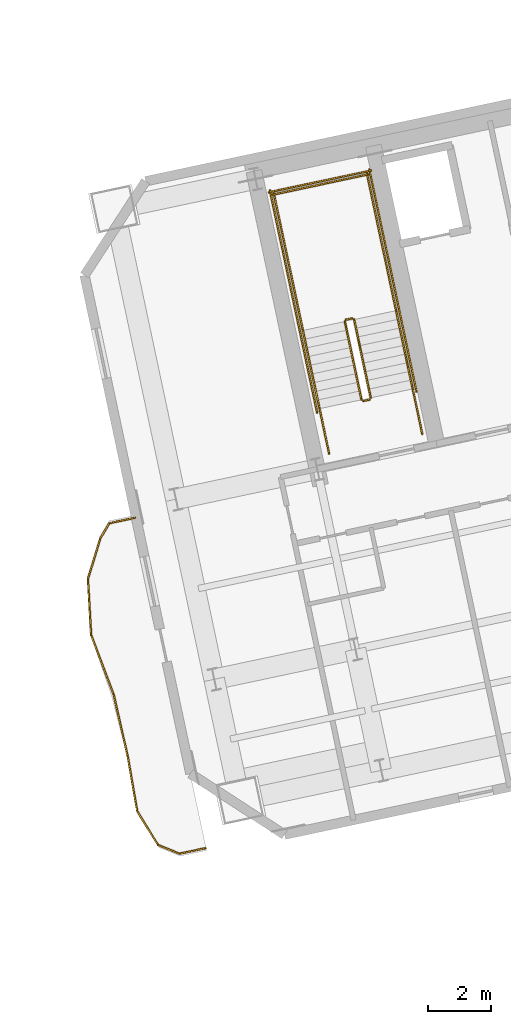
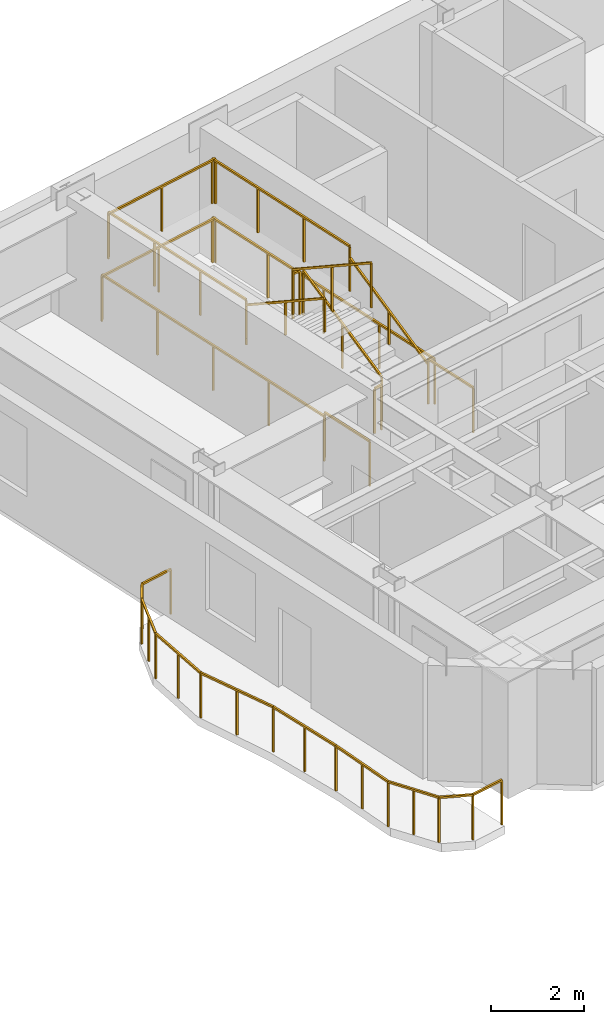
# One storey, part 14 of 15: 24 railings.
"""IFC4 building model written with IfcOpenShell, lengths in metres."""

from ifc_helpers import new_model, si_unit, direction, frame, origin, origin_2d, place, context, subcontext, project, spatial, rectangle, extrude, material, type_object, element, save


model = new_model("IFC4")

# Units and contexts
model_context = context("Model", 3, precision=1e-05, world=origin(), true_north=direction((0.0, 1.0)))
body_context = subcontext(model_context, "Body", "Model", "MODEL_VIEW")
ifc_project = project(units=[si_unit("LENGTHUNIT", "METRE"), si_unit("AREAUNIT", "SQUARE_METRE"), si_unit("VOLUMEUNIT", "CUBIC_METRE"), si_unit("PLANEANGLEUNIT", "RADIAN"), si_unit("MASSUNIT", "GRAM", prefix="KILO")], contexts=[model_context])

# Site, building, storey
site_placement = place(None, origin())
site = spatial("IfcSite", under=ifc_project, at=site_placement, CompositionType="ELEMENT")
building_placement = place(site_placement, origin())
building = spatial("IfcBuilding", under=site, at=building_placement, Name="Haevon Station Towers", CompositionType="ELEMENT")
storey_placement = place(building_placement, frame((0.0, 0.0, 152.699951171875)))
storey = spatial("IfcBuildingStorey", under=building, at=storey_placement, Name="L41", CompositionType="ELEMENT", Elevation=152.699951171875)

# Railings
ifc_material = material(Name="Steel S355", Category="steel")
railing_type_1 = type_object("IfcRailingType", Name="GRD-EXT1200", PredefinedType="GUARDRAIL", material=ifc_material)
railing_1_placement = place(storey_placement, frame((93.021240234375, 35.91455078125, 0.0)))
element("IfcRailing", 1, at=railing_1_placement, inside=storey, type_object=railing_type_1, Name="L41 Perimeter Guardrail 1", PredefinedType="GUARDRAIL", context=body_context, shape_type="SweptSolid", body=[
    extrude(rectangle(XDim=0.048095703125, YDim=0.048095703125, at=origin_2d()), frame((0.0, 0.0, 1.17578125), z_axis=(-0.977678572445, -0.210106185017, 0.0), x_axis=(0.210106185017, -0.977678572445, 0.0)), (0.0, 0.0, 1.0), 0.837890625),
    extrude(rectangle(XDim=0.0419921875, YDim=0.0419921875, at=origin_2d()), origin(), (0.0, 0.0, 1.0), 1.15185546875),
    extrude(rectangle(XDim=0.0419921875, YDim=0.0419921875, at=origin_2d()), frame((-0.819091796875, -0.176025390625, 0.0)), (0.0, 0.0, 1.0), 1.15185546875),
])
railing_2_placement = place(storey_placement, frame((92.2021484375, 35.738525390625, 0.0)))
element("IfcRailing", 2, at=railing_2_placement, inside=storey, type_object=railing_type_1, Name="L41 Perimeter Guardrail 2", PredefinedType="GUARDRAIL", context=body_context, shape_type="SweptSolid", body=[
    extrude(rectangle(XDim=0.048095703125, YDim=0.048095703125, at=origin_2d()), frame((0.0, 0.0, 1.17578125), z_axis=(-0.508242948438, -0.861213739651, 0.0), x_axis=(0.861213739651, -0.508242948438, 0.0)), (0.0, 0.0, 1.0), 0.55810546875),
    extrude(rectangle(XDim=0.0419921875, YDim=0.0419921875, at=origin_2d()), origin(), (0.0, 0.0, 1.0), 1.15185546875),
    extrude(rectangle(XDim=0.0419921875, YDim=0.0419921875, at=origin_2d()), frame((-0.28369140625, -0.480712890625, 0.0)), (0.0, 0.0, 1.0), 1.15185546875),
])
railing_3_placement = place(storey_placement, frame((91.91845703125, 35.2578125, 0.0)))
element("IfcRailing", 3, at=railing_3_placement, inside=storey, type_object=railing_type_1, Name="L41 Perimeter Guardrail 3", PredefinedType="GUARDRAIL", context=body_context, shape_type="SweptSolid", body=[
    extrude(rectangle(XDim=0.048095703125, YDim=0.048095703125, at=origin_2d()), frame((0.0, 0.0, 1.17578125), z_axis=(-0.290899845099, -0.95675351064, 0.0), x_axis=(0.95675351064, -0.290899845099, 0.0)), (0.0, 0.0, 1.0), 1.336181640625),
    extrude(rectangle(XDim=0.0419921875, YDim=0.0419921875, at=origin_2d()), origin(), (0.0, 0.0, 1.0), 1.15185546875),
    extrude(rectangle(XDim=0.0419921875, YDim=0.0419921875, at=origin_2d()), frame((-0.1943359375, -0.63916015625, 0.0)), (0.0, 0.0, 1.0), 1.15185546875),
    extrude(rectangle(XDim=0.0419921875, YDim=0.0419921875, at=origin_2d()), frame((-0.388671875, -1.2783203125, 0.0)), (0.0, 0.0, 1.0), 1.15185546875),
])
railing_4_placement = place(storey_placement, frame((91.52978515625, 33.9794921875, 0.0)))
element("IfcRailing", 4, at=railing_4_placement, inside=storey, type_object=railing_type_1, Name="L41 Perimeter Guardrail 4", PredefinedType="GUARDRAIL", context=body_context, shape_type="SweptSolid", body=[
    extrude(rectangle(XDim=0.048095703125, YDim=0.048095703125, at=origin_2d()), frame((0.0, 0.0, 1.17578125), z_axis=(0.057490580882, -0.998346048778, 0.0), x_axis=(0.998346048778, 0.057490580882, 0.0)), (0.0, 0.0, 1.0), 1.7666015625),
    extrude(rectangle(XDim=0.0419921875, YDim=0.0419921875, at=origin_2d()), origin(), (0.0, 0.0, 1.0), 1.15185546875),
    extrude(rectangle(XDim=0.0419921875, YDim=0.0419921875, at=origin_2d()), frame((0.05078125, -0.8818359375, 0.0)), (0.0, 0.0, 1.0), 1.15185546875),
    extrude(rectangle(XDim=0.0419921875, YDim=0.0419921875, at=origin_2d()), frame((0.1015625, -1.763671875, 0.0)), (0.0, 0.0, 1.0), 1.15185546875),
])
railing_5_placement = place(storey_placement, frame((91.63134765625, 32.2158203125, 0.0)))
element("IfcRailing", 5, at=railing_5_placement, inside=storey, type_object=railing_type_1, Name="L41 Perimeter Guardrail 5", PredefinedType="GUARDRAIL", context=body_context, shape_type="SweptSolid", body=[
    extrude(rectangle(XDim=0.048095703125, YDim=0.048095703125, at=origin_2d()), frame((0.0, 0.0, 1.17578125), z_axis=(0.35410675099, -0.935205009024, 0.0), x_axis=(0.935205009024, 0.35410675099, 0.0)), (0.0, 0.0, 1.0), 2.0166015625),
    extrude(rectangle(XDim=0.0419921875, YDim=0.0419921875, at=origin_2d()), origin(), (0.0, 0.0, 1.0), 1.15185546875),
    extrude(rectangle(XDim=0.0419921875, YDim=0.0419921875, at=origin_2d()), frame((0.35693359375, -0.94287109375, 0.0)), (0.0, 0.0, 1.0), 1.15185546875),
    extrude(rectangle(XDim=0.0419921875, YDim=0.0419921875, at=origin_2d()), frame((0.714111328125, -1.885986328125, 0.0)), (0.0, 0.0, 1.0), 1.15185546875),
])
railing_6_placement = place(storey_placement, frame((92.345458984375, 30.329833984375, 0.0)))
element("IfcRailing", 6, at=railing_6_placement, inside=storey, type_object=railing_type_1, Name="L41 Perimeter Guardrail 6", PredefinedType="GUARDRAIL", context=body_context, shape_type="SweptSolid", body=[
    extrude(rectangle(XDim=0.048095703125, YDim=0.048095703125, at=origin_2d()), frame((0.0, 0.0, 1.17578125), z_axis=(0.220411539334, -0.975406968054, 0.0), x_axis=(0.975406968054, 0.220411539334, 0.0)), (0.0, 0.0, 1.0), 1.9892578125),
    extrude(rectangle(XDim=0.0419921875, YDim=0.0419921875, at=origin_2d()), origin(), (0.0, 0.0, 1.0), 1.15185546875),
    extrude(rectangle(XDim=0.0419921875, YDim=0.0419921875, at=origin_2d()), frame((0.21923828125, -0.97021484375, 0.0)), (0.0, 0.0, 1.0), 1.15185546875),
    extrude(rectangle(XDim=0.0419921875, YDim=0.0419921875, at=origin_2d()), frame((0.4384765625, -1.9404296875, 0.0)), (0.0, 0.0, 1.0), 1.15185546875),
])
railing_7_placement = place(storey_placement, frame((92.783935546875, 28.389404296875, 0.0)))
element("IfcRailing", 7, at=railing_7_placement, inside=storey, type_object=railing_type_1, Name="L41 Perimeter Guardrail 7", PredefinedType="GUARDRAIL", context=body_context, shape_type="SweptSolid", body=[
    extrude(rectangle(XDim=0.048095703125, YDim=0.048095703125, at=origin_2d()), frame((0.0, 0.0, 1.17578125), z_axis=(0.171741201194, -0.98514210133, 0.0), x_axis=(0.98514210133, 0.171741201194, 0.0)), (0.0, 0.0, 1.0), 1.75146484375),
    extrude(rectangle(XDim=0.0419921875, YDim=0.0419921875, at=origin_2d()), origin(), (0.0, 0.0, 1.0), 1.15185546875),
    extrude(rectangle(XDim=0.0419921875, YDim=0.0419921875, at=origin_2d()), frame((0.150390625, -0.86279296875, 0.0)), (0.0, 0.0, 1.0), 1.15185546875),
    extrude(rectangle(XDim=0.0419921875, YDim=0.0419921875, at=origin_2d()), frame((0.30078125, -1.725341796875, 0.0)), (0.0, 0.0, 1.0), 1.15185546875),
])
railing_8_placement = place(storey_placement, frame((93.084716796875, 26.6640625, 0.0)))
element("IfcRailing", 8, at=railing_8_placement, inside=storey, type_object=railing_type_1, Name="L41 Perimeter Guardrail 8", PredefinedType="GUARDRAIL", context=body_context, shape_type="SweptSolid", body=[
    extrude(rectangle(XDim=0.048095703125, YDim=0.048095703125, at=origin_2d()), frame((0.0, 0.0, 1.17578125), z_axis=(0.525806588811, -0.850604156563, 0.0), x_axis=(0.850604156563, 0.525806588811, 0.0)), (0.0, 0.0, 1.0), 1.242431640625),
    extrude(rectangle(XDim=0.0419921875, YDim=0.0419921875, at=origin_2d()), origin(), (0.0, 0.0, 1.0), 1.15185546875),
    extrude(rectangle(XDim=0.0419921875, YDim=0.0419921875, at=origin_2d()), frame((0.32666015625, -0.5283203125, 0.0)), (0.0, 0.0, 1.0), 1.15185546875),
    extrude(rectangle(XDim=0.0419921875, YDim=0.0419921875, at=origin_2d()), frame((0.6533203125, -1.056884765625, 0.0)), (0.0, 0.0, 1.0), 1.15185546875),
])
railing_9_placement = place(storey_placement, frame((93.738037109375, 25.607177734375, 0.0)))
element("IfcRailing", 9, at=railing_9_placement, inside=storey, type_object=railing_type_1, Name="L41 Perimeter Guardrail 9", PredefinedType="GUARDRAIL", context=body_context, shape_type="SweptSolid", body=[
    extrude(rectangle(XDim=0.048095703125, YDim=0.048095703125, at=origin_2d()), frame((0.0, 0.0, 1.17578125), z_axis=(0.925568245089, -0.378580802053, 0.0), x_axis=(0.378580802053, 0.925568245089, 0.0)), (0.0, 0.0, 1.0), 0.730712890625),
    extrude(rectangle(XDim=0.0419921875, YDim=0.0419921875, at=origin_2d()), origin(), (0.0, 0.0, 1.0), 1.15185546875),
    extrude(rectangle(XDim=0.0419921875, YDim=0.0419921875, at=origin_2d()), frame((0.67626953125, -0.276611328125, 0.0)), (0.0, 0.0, 1.0), 1.15185546875),
])
railing_10_placement = place(storey_placement, frame((94.414306640625, 25.33056640625, 0.0)))
element("IfcRailing", 10, at=railing_10_placement, inside=storey, type_object=railing_type_1, Name="L41 Perimeter Guardrail 10", PredefinedType="GUARDRAIL", context=body_context, shape_type="SweptSolid", body=[
    extrude(rectangle(XDim=0.048095703125, YDim=0.048095703125, at=origin_2d()), frame((0.0, 0.0, 1.17578125), z_axis=(0.978617737227, 0.20568744343, 0.0), x_axis=(-0.20568744343, 0.978617737227, 0.0)), (0.0, 0.0, 1.0), 0.837890625),
    extrude(rectangle(XDim=0.0419921875, YDim=0.0419921875, at=origin_2d()), origin(), (0.0, 0.0, 1.0), 1.15185546875),
    extrude(rectangle(XDim=0.0419921875, YDim=0.0419921875, at=origin_2d()), frame((0.820068359375, 0.17236328125, 0.0)), (0.0, 0.0, 1.0), 1.15185546875),
])
railing_type_2 = type_object("IfcRailingType", Name="GRD-STR1200", PredefinedType="GUARDRAIL", material=ifc_material)
railing_11_placement = place(storey_placement, frame((100.44140625, 39.69287109375, 0.1650390625)))
element("IfcRailing", 11, at=railing_11_placement, inside=storey, type_object=railing_type_2, Name="L41 ST3 Stair Guard 1", PredefinedType="GUARDRAIL", context=body_context, shape_type="SweptSolid", body=[
    extrude(rectangle(XDim=0.048095703125, YDim=0.048095703125, at=origin_2d()), frame((0.0, 0.0, 1.17578125), z_axis=(-0.179121265225, 0.842687928106, 0.507732831485), x_axis=(-0.978147030254, -0.207914374695, 0.0)), (0.0, 0.0, 1.0), 2.925048828125),
    extrude(rectangle(XDim=0.0419921875, YDim=0.0419921875, at=origin_2d()), origin(), (0.0, 0.0, 1.0), 1.15185546875),
    extrude(rectangle(XDim=0.0419921875, YDim=0.0419921875, at=origin_2d()), frame((-0.261962890625, 1.232421875, 0.74267578125)), (0.0, 0.0, 1.0), 1.15185546875),
    extrude(rectangle(XDim=0.0419921875, YDim=0.0419921875, at=origin_2d()), frame((-0.52392578125, 2.46484375, 1.485107421875)), (0.0, 0.0, 1.0), 1.15185546875),
])
railing_12_placement = place(storey_placement, frame((99.858154296875, 42.1962890625, 1.650146484375)))
element("IfcRailing", 12, at=railing_12_placement, inside=storey, type_object=railing_type_2, Name="L41 ST3 Stair Guard 2", PredefinedType="GUARDRAIL", context=body_context, shape_type="SweptSolid", body=[
    extrude(rectangle(XDim=0.048095703125, YDim=0.048095703125, at=origin_2d()), frame((0.0, 0.0, 1.17578125), z_axis=(-0.977962931203, -0.208778603291, 0.0), x_axis=(0.208778603291, -0.977962931203, 0.0)), (0.0, 0.0, 1.0), 0.199951171875),
    extrude(rectangle(XDim=0.0419921875, YDim=0.0419921875, at=origin_2d()), origin(), (0.0, 0.0, 1.0), 1.15185546875),
    extrude(rectangle(XDim=0.0419921875, YDim=0.0419921875, at=origin_2d()), frame((-0.195556640625, -0.041748046875, 0.0)), (0.0, 0.0, 1.0), 1.15185546875),
])
railing_13_placement = place(storey_placement, frame((101.238037109375, 42.4384765625, 1.650146484375)))
element("IfcRailing", 13, at=railing_13_placement, inside=storey, type_object=railing_type_2, Name="L41 ST3 Stair Guard 3", PredefinedType="GUARDRAIL", context=body_context, shape_type="SweptSolid", body=[
    extrude(rectangle(XDim=0.048095703125, YDim=0.048095703125, at=origin_2d()), frame((0.0, 0.0, 1.17578125), z_axis=(-0.20794048909, 0.978141479029, 0.0), x_axis=(-0.978141479029, -0.20794048909, 0.0)), (0.0, 0.0, 1.0), 4.429931640625),
    extrude(rectangle(XDim=0.0419921875, YDim=0.0419921875, at=origin_2d()), origin(), (0.0, 0.0, 1.0), 1.15185546875),
    extrude(rectangle(XDim=0.0419921875, YDim=0.0419921875, at=origin_2d()), frame((-0.30712890625, 1.4443359375, 0.0)), (0.0, 0.0, 1.0), 1.15185546875),
    extrude(rectangle(XDim=0.0419921875, YDim=0.0419921875, at=origin_2d()), frame((-0.614013671875, 2.888671875, 0.0)), (0.0, 0.0, 1.0), 1.15185546875),
    extrude(rectangle(XDim=0.0419921875, YDim=0.0419921875, at=origin_2d()), frame((-0.921142578125, 4.3330078125, 0.0)), (0.0, 0.0, 1.0), 1.15185546875),
])
railing_14_placement = place(storey_placement, frame((98.303466796875, 41.814697265625, 1.650146484375)))
element("IfcRailing", 14, at=railing_14_placement, inside=storey, type_object=railing_type_2, Name="L41 ST3 Stair Guard 4", PredefinedType="GUARDRAIL", context=body_context, shape_type="SweptSolid", body=[
    extrude(rectangle(XDim=0.048095703125, YDim=0.048095703125, at=origin_2d()), frame((0.0, 0.0, 1.17578125), z_axis=(-0.207876551949, 0.978155069071, 0.0), x_axis=(-0.978155069071, -0.207876551949, 0.0)), (0.0, 0.0, 1.0), 4.429931640625),
    extrude(rectangle(XDim=0.0419921875, YDim=0.0419921875, at=origin_2d()), origin(), (0.0, 0.0, 1.0), 1.15185546875),
    extrude(rectangle(XDim=0.0419921875, YDim=0.0419921875, at=origin_2d()), frame((-0.306884765625, 1.4443359375, 0.0)), (0.0, 0.0, 1.0), 1.15185546875),
    extrude(rectangle(XDim=0.0419921875, YDim=0.0419921875, at=origin_2d()), frame((-0.614013671875, 2.888916015625, 0.0)), (0.0, 0.0, 1.0), 1.15185546875),
    extrude(rectangle(XDim=0.0419921875, YDim=0.0419921875, at=origin_2d()), frame((-0.9208984375, 4.333251953125, 0.0)), (0.0, 0.0, 1.0), 1.15185546875),
])
railing_15_placement = place(storey_placement, frame((100.376220703125, 46.733154296875, 1.650146484375)))
element("IfcRailing", 15, at=railing_15_placement, inside=storey, type_object=railing_type_2, Name="L41 ST3 Stair Guard 5", PredefinedType="GUARDRAIL", context=body_context, shape_type="SweptSolid", body=[
    extrude(rectangle(XDim=0.048095703125, YDim=0.048095703125, at=origin_2d()), frame((0.0, 0.0, 1.17578125), z_axis=(-0.978146839882, -0.207915270313, 0.0), x_axis=(0.207915270313, -0.978146839882, 0.0)), (0.0, 0.0, 1.0), 3.099853515625),
    extrude(rectangle(XDim=0.0419921875, YDim=0.0419921875, at=origin_2d()), origin(), (0.0, 0.0, 1.0), 1.15185546875),
    extrude(rectangle(XDim=0.0419921875, YDim=0.0419921875, at=origin_2d()), frame((-1.51611328125, -0.322265625, 0.0)), (0.0, 0.0, 1.0), 1.15185546875),
    extrude(rectangle(XDim=0.0419921875, YDim=0.0419921875, at=origin_2d()), frame((-3.0322265625, -0.64453125, 0.0)), (0.0, 0.0, 1.0), 1.15185546875),
])
railing_16_placement = place(storey_placement, frame((99.6240234375, 42.09521484375, 1.81494140625)))
element("IfcRailing", 16, at=railing_16_placement, inside=storey, type_object=railing_type_2, Name="L41 ST3 Stair Guard 6", PredefinedType="GUARDRAIL", context=body_context, shape_type="SweptSolid", body=[
    extrude(rectangle(XDim=0.048095703125, YDim=0.048095703125, at=origin_2d()), frame((0.0, 0.0, 1.17578125), z_axis=(0.179121265225, -0.842687928106, 0.507732831485), x_axis=(0.978147030254, 0.207914374695, 0.0)), (0.0, 0.0, 1.0), 2.925048828125),
    extrude(rectangle(XDim=0.0419921875, YDim=0.0419921875, at=origin_2d()), origin(), (0.0, 0.0, 1.0), 1.15185546875),
    extrude(rectangle(XDim=0.0419921875, YDim=0.0419921875, at=origin_2d()), frame((0.261962890625, -1.232421875, 0.74267578125)), (0.0, 0.0, 1.0), 1.15185546875),
    extrude(rectangle(XDim=0.0419921875, YDim=0.0419921875, at=origin_2d()), frame((0.52392578125, -2.46484375, 1.485107421875)), (0.0, 0.0, 1.0), 1.15185546875),
])
railing_17_placement = place(storey_placement, frame((100.40283203125, 39.633544921875, 0.0)))
element("IfcRailing", 17, at=railing_17_placement, inside=storey, type_object=railing_type_2, Name="L41 ST3 Stair Guard 7", PredefinedType="GUARDRAIL", context=body_context, shape_type="SweptSolid", body=[
    extrude(rectangle(XDim=0.048095703125, YDim=0.048095703125, at=origin_2d()), frame((0.0, 0.0, 1.17578125), z_axis=(-0.977962931203, -0.208778603291, 0.0), x_axis=(0.208778603291, -0.977962931203, 0.0)), (0.0, 0.0, 1.0), 0.199951171875),
    extrude(rectangle(XDim=0.0419921875, YDim=0.0419921875, at=origin_2d()), origin(), (0.0, 0.0, 1.0), 1.15185546875),
    extrude(rectangle(XDim=0.0419921875, YDim=0.0419921875, at=origin_2d()), frame((-0.195556640625, -0.041748046875, 0.0)), (0.0, 0.0, 1.0), 1.15185546875),
])
for number, where, name in (
    (18, (102.0634765625, 38.55517578125, 0.0), "L41 ST3 Stair Guard 8"),
    (19, (99.12890625, 37.931396484375, 0.0), "L41 ST3 Stair Guard 9"),
):
    element("IfcRailing", number, at=place(storey_placement, frame(where)), inside=storey, type_object=railing_type_2, Name=name, PredefinedType="GUARDRAIL", context=body_context, shape_type="SweptSolid", body=[
        extrude(rectangle(XDim=0.048095703125, YDim=0.048095703125, at=origin_2d()), frame((0.0, 0.0, 1.17578125), z_axis=(-0.207953405961, 0.978138732977, 0.0), x_axis=(-0.978138732977, -0.207953405961, 0.0)), (0.0, 0.0, 1.0), 1.449951171875),
        extrude(rectangle(XDim=0.0419921875, YDim=0.0419921875, at=origin_2d()), origin(), (0.0, 0.0, 1.0), 1.15185546875),
        extrude(rectangle(XDim=0.0419921875, YDim=0.0419921875, at=origin_2d()), frame((-0.301513671875, 1.418212890625, 0.0)), (0.0, 0.0, 1.0), 1.15185546875),
    ])
railing_18_placement = place(storey_placement, frame((101.88037109375, 39.896484375, 0.0)))
element("IfcRailing", 20, at=railing_18_placement, inside=storey, type_object=railing_type_2, Name="L41 ST3 Stair Guard 10", PredefinedType="GUARDRAIL", context=body_context, shape_type="SweptSolid", body=[
    extrude(rectangle(XDim=0.048095703125, YDim=0.048095703125, at=origin_2d()), frame((0.0, 0.0, 1.17578125), z_axis=(-0.207882442208, 0.978153817261, 0.0), x_axis=(-0.978153817261, -0.207882442208, 0.0)), (0.0, 0.0, 1.0), 7.14990234375),
    extrude(rectangle(XDim=0.0419921875, YDim=0.0419921875, at=origin_2d()), origin(), (0.0, 0.0, 1.0), 1.15185546875),
    extrude(rectangle(XDim=0.0419921875, YDim=0.0419921875, at=origin_2d()), frame((-0.37158203125, 1.74853515625, 0.0)), (0.0, 0.0, 1.0), 1.15185546875),
    extrude(rectangle(XDim=0.0419921875, YDim=0.0419921875, at=origin_2d()), frame((-0.7431640625, 3.496826171875, 0.0)), (0.0, 0.0, 1.0), 1.15185546875),
    extrude(rectangle(XDim=0.0419921875, YDim=0.0419921875, at=origin_2d()), frame((-1.11474609375, 5.2451171875, 0.0)), (0.0, 0.0, 1.0), 1.15185546875),
    extrude(rectangle(XDim=0.0419921875, YDim=0.0419921875, at=origin_2d()), frame((-1.486328125, 6.99365234375, 0.0)), (0.0, 0.0, 1.0), 1.15185546875),
])
railing_19_placement = place(storey_placement, frame((98.75048828125, 39.231201171875, 0.0)))
element("IfcRailing", 21, at=railing_19_placement, inside=storey, type_object=railing_type_2, Name="L41 ST3 Stair Guard 11", PredefinedType="GUARDRAIL", context=body_context, shape_type="SweptSolid", body=[
    extrude(rectangle(XDim=0.048095703125, YDim=0.048095703125, at=origin_2d()), frame((0.0, 0.0, 1.17578125), z_axis=(-0.207915112487, 0.978146873429, 0.0), x_axis=(-0.978146873429, -0.207915112487, 0.0)), (0.0, 0.0, 1.0), 7.14990234375),
    extrude(rectangle(XDim=0.0419921875, YDim=0.0419921875, at=origin_2d()), origin(), (0.0, 0.0, 1.0), 1.15185546875),
    extrude(rectangle(XDim=0.0419921875, YDim=0.0419921875, at=origin_2d()), frame((-0.37158203125, 1.74853515625, 0.0)), (0.0, 0.0, 1.0), 1.15185546875),
    extrude(rectangle(XDim=0.0419921875, YDim=0.0419921875, at=origin_2d()), frame((-0.7431640625, 3.496826171875, 0.0)), (0.0, 0.0, 1.0), 1.15185546875),
    extrude(rectangle(XDim=0.0419921875, YDim=0.0419921875, at=origin_2d()), frame((-1.114990234375, 5.2451171875, 0.0)), (0.0, 0.0, 1.0), 1.15185546875),
    extrude(rectangle(XDim=0.0419921875, YDim=0.0419921875, at=origin_2d()), frame((-1.486572265625, 6.99365234375, 0.0)), (0.0, 0.0, 1.0), 1.15185546875),
])
railing_20_placement = place(storey_placement, frame((100.453125, 46.8515625, 0.0)))
element("IfcRailing", 22, at=railing_20_placement, inside=storey, type_object=railing_type_2, Name="L41 ST3 Stair Guard 12", PredefinedType="GUARDRAIL", context=body_context, shape_type="SweptSolid", body=[
    extrude(rectangle(XDim=0.048095703125, YDim=0.048095703125, at=origin_2d()), frame((0.0, 0.0, 1.17578125), z_axis=(-0.978150764849, -0.207896804268, 0.0), x_axis=(0.207896804268, -0.978150764849, 0.0)), (0.0, 0.0, 1.0), 3.2998046875),
    extrude(rectangle(XDim=0.0419921875, YDim=0.0419921875, at=origin_2d()), origin(), (0.0, 0.0, 1.0), 1.15185546875),
    extrude(rectangle(XDim=0.0419921875, YDim=0.0419921875, at=origin_2d()), frame((-1.61376953125, -0.343017578125, 0.0)), (0.0, 0.0, 1.0), 1.15185546875),
    extrude(rectangle(XDim=0.0419921875, YDim=0.0419921875, at=origin_2d()), frame((-3.227783203125, -0.68603515625, 0.0)), (0.0, 0.0, 1.0), 1.15185546875),
])
railing_type_3 = type_object("IfcRailingType", Name="HND-STR900", PredefinedType="HANDRAIL", material=ifc_material)
railing_21_placement = place(storey_placement, frame((101.761962890625, 39.973388671875, 0.1650390625)))
element("IfcRailing", 23, at=railing_21_placement, inside=storey, type_object=railing_type_3, Name="L41 ST3 Stair Handrail 1", PredefinedType="HANDRAIL", context=body_context, shape_type="SweptSolid", body=[
    extrude(rectangle(XDim=0.048095703125, YDim=0.048095703125, at=origin_2d()), frame((0.0, 0.0, 0.8759765625), z_axis=(-0.179108667068, 0.842712120868, 0.50769712105), x_axis=(-0.978151217824, -0.207894673017, 0.0)), (0.0, 0.0, 1.0), 2.92529296875),
    extrude(rectangle(XDim=0.0419921875, YDim=0.0419921875, at=origin_2d()), origin(), (0.0, 0.0, 1.0), 0.851806640625),
    extrude(rectangle(XDim=0.0419921875, YDim=0.0419921875, at=origin_2d()), frame((-0.261962890625, 1.232421875, 0.74267578125)), (0.0, 0.0, 1.0), 0.851806640625),
    extrude(rectangle(XDim=0.0419921875, YDim=0.0419921875, at=origin_2d()), frame((-0.52392578125, 2.465087890625, 1.485107421875)), (0.0, 0.0, 1.0), 0.851806640625),
])
railing_22_placement = place(storey_placement, frame((98.303466796875, 41.814697265625, 1.81494140625)))
element("IfcRailing", 24, at=railing_22_placement, inside=storey, type_object=railing_type_3, Name="L41 ST3 Stair Handrail 2", PredefinedType="HANDRAIL", context=body_context, shape_type="SweptSolid", body=[
    extrude(rectangle(XDim=0.048095703125, YDim=0.048095703125, at=origin_2d()), frame((0.0, 0.0, 0.8759765625), z_axis=(0.179108667068, -0.842712120868, 0.50769712105), x_axis=(0.978151217824, 0.207894673017, 0.0)), (0.0, 0.0, 1.0), 2.92529296875),
    extrude(rectangle(XDim=0.0419921875, YDim=0.0419921875, at=origin_2d()), origin(), (0.0, 0.0, 1.0), 0.851806640625),
    extrude(rectangle(XDim=0.0419921875, YDim=0.0419921875, at=origin_2d()), frame((0.261962890625, -1.232421875, 0.74267578125)), (0.0, 0.0, 1.0), 0.851806640625),
    extrude(rectangle(XDim=0.0419921875, YDim=0.0419921875, at=origin_2d()), frame((0.52392578125, -2.465087890625, 1.485107421875)), (0.0, 0.0, 1.0), 0.851806640625),
])

save(model, "model.ifc")
